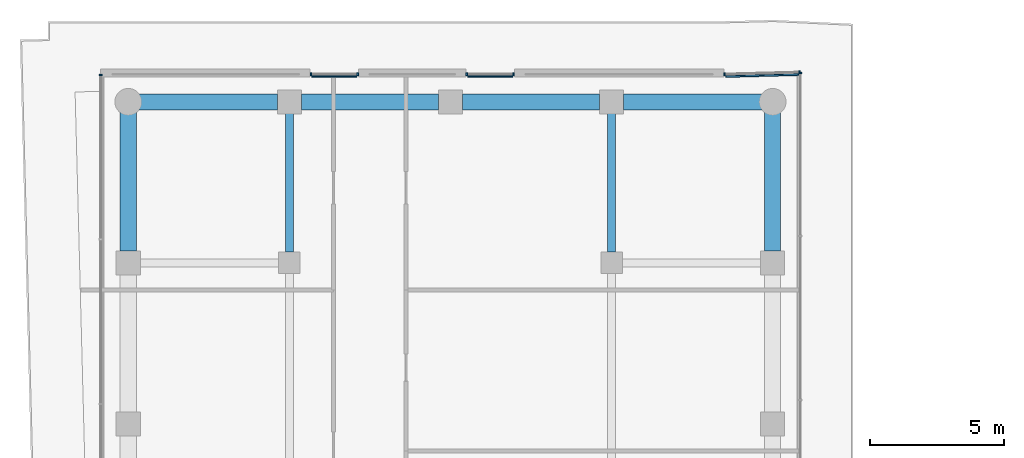
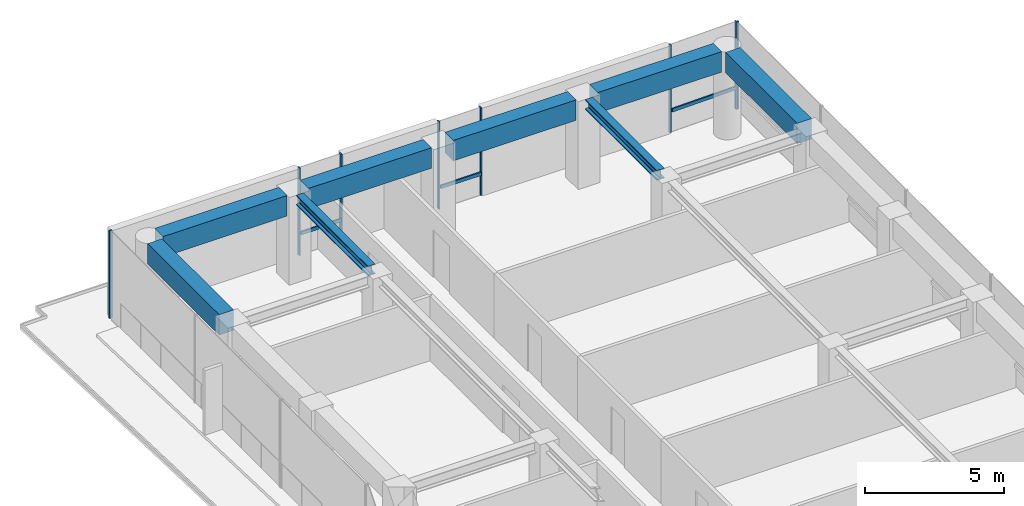
# One storey, part 16 of 23: 11 members, 8 beams, 5 elements without a shape of their own.
"""IFC4 building model written with IfcOpenShell, lengths in metres."""

from ifc_helpers import new_model, si_unit, direction, frame, origin, origin_2d, place, context, subcontext, project, spatial, rectangle, i_section, extrude, material, layer, layer_set, material_profile, profile_set, type_object, element, aggregate, save


model = new_model("IFC4")

# Units and contexts
model_context = context("Model", 3, precision=1e-05, world=origin(), true_north=direction((0.0, 1.0)))
body_context = subcontext(model_context, "Body", "Model", "MODEL_VIEW")
ifc_project = project(units=[si_unit("LENGTHUNIT", "METRE"), si_unit("AREAUNIT", "SQUARE_METRE"), si_unit("VOLUMEUNIT", "CUBIC_METRE"), si_unit("PLANEANGLEUNIT", "RADIAN"), si_unit("MASSUNIT", "GRAM", prefix="KILO")], contexts=[model_context])

# Site, building, storey
site_placement = place(None, origin())
site = spatial("IfcSite", under=ifc_project, at=site_placement, CompositionType="ELEMENT")
building_placement = place(site_placement, origin())
building = spatial("IfcBuilding", under=site, at=building_placement, Name="Welwitschia Terrace Campus", CompositionType="ELEMENT")
storey_placement = place(building_placement, frame((0.0, 0.0, 104.60009765625)))
storey = spatial("IfcBuildingStorey", under=building, at=storey_placement, Name="L23", CompositionType="ELEMENT", Elevation=104.60009765625)

# Beams
ifc_material_1 = material(Name="Steel S355", Category="steel")
ifc_material_profile_1 = material_profile(ifc_material_1, i_section(OverallWidth=0.306884765625, OverallDepth=0.431884765625, WebThickness=0.02099609375, FlangeThickness=0.0400390625, FilletRadius=0.027099609375, at=origin_2d()))
ifc_profile_set_1 = profile_set([ifc_material_profile_1], Name="Steel S355")
beam_type_1 = type_object("IfcBeamType", Name="Interior girder HE 400 M", PredefinedType="BEAM", material=ifc_profile_set_1)
for number, where, z_axis, x_axis, name in (
    (1, (6.0, 64.400390625, 3.6337890625), (0.0, 1.0, 0.0), (-1.0, 0.0, 0.0), "Girder GB3"),
    (2, (18.0, 64.400390625, 3.6337890625), (0.0, 1.0, 0.0), (-1.0, 0.0, 0.0), "Girder GB3"),
):
    element("IfcBeam", number, at=place(storey_placement, frame(where, z_axis=z_axis, x_axis=x_axis)), inside=storey, type_object=beam_type_1, Name=name, PredefinedType="BEAM", context=body_context, shape_type="SweptSolid", body=[
        extrude(i_section(OverallWidth=0.306884765625, OverallDepth=0.431884765625, WebThickness=0.02099609375, FlangeThickness=0.0400390625, FilletRadius=0.027099609375, at=origin_2d()), origin(), (0.0, 0.0, 1.0), 5.1591796875),
    ])

# Curtain wall, member
ifc_material_2 = material(Name="Bronze anodised aluminium", Category="aluminium")
ifc_layer = layer(ifc_material_2, 0.1201171875)
ifc_layer_set = layer_set([ifc_layer], Name="Bronze anodised aluminium")
curtain_wall_type = type_object("IfcCurtainWallType", Name="Curtain wall CW2 tower 6000", PredefinedType="NOTDEFINED", material=ifc_layer_set)
curtain_wall_1_placement = place(storey_placement, origin())
curtain_wall_1 = element("IfcCurtainWall", 3, at=curtain_wall_1_placement, inside=storey, type_object=curtain_wall_type, Name="CW L23.9.0", PredefinedType="NOTDEFINED")
ifc_material_3 = material(Name="Bronze anodised aluminium", Category="aluminium")
ifc_material_profile_2 = material_profile(ifc_material_3, rectangle(XDim=0.1201171875, YDim=0.06005859375, at=origin_2d()))
ifc_profile_set_2 = profile_set([ifc_material_profile_2], Name="Bronze anodised aluminium")
member_type_1 = type_object("IfcMemberType", Name="Mullion 60x120", PredefinedType="MULLION", material=ifc_profile_set_2)
member_1_placement = place(storey_placement, frame((25.030029296875, 71.074462890625, 0.0), z_axis=(0.0, 0.0, 1.0), x_axis=(-1.0, 0.0, 0.0)))
member_1 = element("IfcMember", 4, at=member_1_placement, type_object=member_type_1, Name="Mullion L23.9.0.6", PredefinedType="MULLION", context=body_context, shape_type="SweptSolid", body=[
    extrude(rectangle(XDim=0.1201171875, YDim=0.06005859375, at=origin_2d()), origin(), (0.0, 0.0, 1.0), 3.849853515625),
])
aggregate(curtain_wall_1, [member_1])

# Curtain wall, members
curtain_wall_2_placement = place(storey_placement, origin())
curtain_wall_2 = element("IfcCurtainWall", 5, at=curtain_wall_2_placement, inside=storey, type_object=curtain_wall_type, Name="CW L23.10.0", PredefinedType="NOTDEFINED")
member_2_placement = place(storey_placement, frame((25.0, 71.103759765625, 0.0), z_axis=(0.0, 0.0, 1.0), x_axis=(0.026176948308, -0.999657324976, 0.0)))
member_2 = element("IfcMember", 6, at=member_2_placement, type_object=member_type_1, Name="Mullion L23.10.0.0", PredefinedType="MULLION", context=body_context, shape_type="SweptSolid", body=[
    extrude(rectangle(XDim=0.1201171875, YDim=0.06005859375, at=origin_2d()), origin(), (0.0, 0.0, 1.0), 3.849853515625),
])
member_3_placement = place(storey_placement, frame((22.21337890625, 71.03076171875, 0.0), z_axis=(0.0, 0.0, 1.0), x_axis=(0.026176948308, -0.999657324976, 0.0)))
member_3 = element("IfcMember", 7, at=member_3_placement, type_object=member_type_1, Name="Mullion L23.10.0.1", PredefinedType="MULLION", context=body_context, shape_type="SweptSolid", body=[
    extrude(rectangle(XDim=0.1201171875, YDim=0.06005859375, at=origin_2d()), origin(), (0.0, 0.0, 1.0), 3.849853515625),
])

curtain_wall_3_placement = place(storey_placement, origin())
curtain_wall_3 = element("IfcCurtainWall", 8, at=curtain_wall_3_placement, inside=storey, type_object=curtain_wall_type, Name="CW L23.11.S0", PredefinedType="NOTDEFINED")
member_4_placement = place(storey_placement, frame((14.348388671875, 71.030029296875, 0.0), z_axis=(0.0, 0.0, 1.0), x_axis=(0.0, -1.0, 0.0)))
member_4 = element("IfcMember", 9, at=member_4_placement, type_object=member_type_1, Name="Mullion L23.11.S0.0", PredefinedType="MULLION", context=body_context, shape_type="SweptSolid", body=[
    extrude(rectangle(XDim=0.1201171875, YDim=0.06005859375, at=origin_2d()), origin(), (0.0, 0.0, 1.0), 3.849853515625),
])
member_5_placement = place(storey_placement, frame((12.6083984375, 71.030029296875, 0.0), z_axis=(0.0, 0.0, 1.0), x_axis=(0.0, -1.0, 0.0)))
member_5 = element("IfcMember", 10, at=member_5_placement, type_object=member_type_1, Name="Mullion L23.11.S0.1", PredefinedType="MULLION", context=body_context, shape_type="SweptSolid", body=[
    extrude(rectangle(XDim=0.1201171875, YDim=0.06005859375, at=origin_2d()), origin(), (0.0, 0.0, 1.0), 3.849853515625),
])

curtain_wall_4_placement = place(storey_placement, origin())
curtain_wall_4 = element("IfcCurtainWall", 11, at=curtain_wall_4_placement, inside=storey, type_object=curtain_wall_type, Name="CW L23.11.S1", PredefinedType="NOTDEFINED")
member_6_placement = place(storey_placement, frame((8.544921875, 71.030029296875, 0.0), z_axis=(0.0, 0.0, 1.0), x_axis=(0.0, -1.0, 0.0)))
member_6 = element("IfcMember", 12, at=member_6_placement, type_object=member_type_1, Name="Mullion L23.11.S1.0", PredefinedType="MULLION", context=body_context, shape_type="SweptSolid", body=[
    extrude(rectangle(XDim=0.1201171875, YDim=0.06005859375, at=origin_2d()), origin(), (0.0, 0.0, 1.0), 3.849853515625),
])
member_7_placement = place(storey_placement, frame((6.804931640625, 71.030029296875, 0.0), z_axis=(0.0, 0.0, 1.0), x_axis=(0.0, -1.0, 0.0)))
member_7 = element("IfcMember", 13, at=member_7_placement, type_object=member_type_1, Name="Mullion L23.11.S1.1", PredefinedType="MULLION", context=body_context, shape_type="SweptSolid", body=[
    extrude(rectangle(XDim=0.1201171875, YDim=0.06005859375, at=origin_2d()), origin(), (0.0, 0.0, 1.0), 3.849853515625),
])

# Curtain wall, member
curtain_wall_5_placement = place(storey_placement, origin())
curtain_wall_5 = element("IfcCurtainWall", 14, at=curtain_wall_5_placement, inside=storey, type_object=curtain_wall_type, Name="CW L23.12.0", PredefinedType="NOTDEFINED")
member_8_placement = place(storey_placement, frame((-1.030029296875, 71.0, 0.0), z_axis=(0.0, 0.0, 1.0), x_axis=(1.0, 0.0, 0.0)))
member_8 = element("IfcMember", 15, at=member_8_placement, type_object=member_type_1, Name="Mullion L23.12.0.0", PredefinedType="MULLION", context=body_context, shape_type="SweptSolid", body=[
    extrude(rectangle(XDim=0.1201171875, YDim=0.06005859375, at=origin_2d()), origin(), (0.0, 0.0, 1.0), 3.849853515625),
])
aggregate(curtain_wall_5, [member_8])

# Beams
ifc_material_4 = material(Name="Concrete C60/75", Category="concrete")
ifc_material_profile_3 = material_profile(ifc_material_4, rectangle(XDim=0.60009765625, YDim=0.89990234375, at=origin_2d()))
ifc_profile_set_3 = profile_set([ifc_material_profile_3], Name="Concrete C60/75")
beam_type_2 = type_object("IfcBeamType", Name="Ring spandrel 600x900", PredefinedType="SPANDREL", material=ifc_profile_set_3)
for number, where, z_axis, x_axis, name in (
    (16, (24.0, 64.450439453125, 3.39990234375), (0.0, 1.0, 0.0), (-1.0, 0.0, 0.0), "Spandrel SP2"),
    (17, (23.599609375, 70.0, 3.39990234375), (-1.0, 0.0, 0.0), (0.0, -1.0, 0.0), "Spandrel SP2"),
):
    element("IfcBeam", number, at=place(storey_placement, frame(where, z_axis=z_axis, x_axis=x_axis)), inside=storey, type_object=beam_type_2, Name=name, PredefinedType="SPANDREL", context=body_context, shape_type="SweptSolid", body=[
        extrude(rectangle(XDim=0.60009765625, YDim=0.89990234375, at=origin_2d()), origin(), (0.0, 0.0, 1.0), 5.149169921875),
    ])
for number, where, z_axis, x_axis, name in (
    (18, (17.549560546875, 70.0, 3.39990234375), (-1.0, 0.0, 0.0), (0.0, -1.0, 0.0), "Spandrel SP2"),
    (19, (11.549560546875, 70.0, 3.39990234375), (-1.0, 0.0, 0.0), (0.0, -1.0, 0.0), "Spandrel SP2"),
):
    element("IfcBeam", number, at=place(storey_placement, frame(where, z_axis=z_axis, x_axis=x_axis)), inside=storey, type_object=beam_type_2, Name=name, PredefinedType="SPANDREL", context=body_context, shape_type="SweptSolid", body=[
        extrude(rectangle(XDim=0.60009765625, YDim=0.89990234375, at=origin_2d()), origin(), (0.0, 0.0, 1.0), 5.09912109375),
    ])
for number, where, z_axis, x_axis, name in (
    (20, (5.549560546875, 70.0, 3.39990234375), (-1.0, 0.0, 0.0), (0.0, -1.0, 0.0), "Spandrel SP2"),
    (21, (0.0, 69.599609375, 3.39990234375), (0.0, -1.0, 0.0), (1.0, 0.0, 0.0), "Spandrel SP2"),
):
    element("IfcBeam", number, at=place(storey_placement, frame(where, z_axis=z_axis, x_axis=x_axis)), inside=storey, type_object=beam_type_2, Name=name, PredefinedType="SPANDREL", context=body_context, shape_type="SweptSolid", body=[
        extrude(rectangle(XDim=0.60009765625, YDim=0.89990234375, at=origin_2d()), origin(), (0.0, 0.0, 1.0), 5.149169921875),
    ])

# Member
ifc_material_5 = material(Name="Bronze anodised aluminium", Category="aluminium")
ifc_material_profile_4 = material_profile(ifc_material_5, rectangle(XDim=0.06005859375, YDim=0.14990234375, at=origin_2d()))
ifc_profile_set_4 = profile_set([ifc_material_profile_4], Name="Bronze anodised aluminium")
member_type_2 = type_object("IfcMemberType", Name="Transom 60x150", PredefinedType="USERDEFINED", material=ifc_profile_set_4)
member_9_placement = place(storey_placement, frame((24.972412109375, 71.012939453125, 1.0), z_axis=(-0.999658365047, -0.026137199373, 0.0), x_axis=(0.026137199373, -0.999658365047, 0.0)))
member_9 = element("IfcMember", 22, at=member_9_placement, type_object=member_type_2, Name="Transom L23.10.0", ObjectType="TRANSOM", PredefinedType="USERDEFINED", context=body_context, shape_type="SweptSolid", body=[
    extrude(rectangle(XDim=0.06005859375, YDim=0.14990234375, at=origin_2d()), origin(), (0.0, 0.0, 1.0), 2.7275390625),
])

aggregate(curtain_wall_2, [member_2, member_3, member_9])

member_10_placement = place(storey_placement, frame((14.318359375, 70.93994140625, 1.0), z_axis=(-1.0, 0.0, 0.0), x_axis=(0.0, -1.0, 0.0)))
member_10 = element("IfcMember", 23, at=member_10_placement, type_object=member_type_2, Name="Transom L23.11.S0", ObjectType="TRANSOM", PredefinedType="USERDEFINED", context=body_context, shape_type="SweptSolid", body=[
    extrude(rectangle(XDim=0.06005859375, YDim=0.14990234375, at=origin_2d()), origin(), (0.0, 0.0, 1.0), 1.679931640625),
])

aggregate(curtain_wall_3, [member_4, member_5, member_10])

member_11_placement = place(storey_placement, frame((8.51513671875, 70.93994140625, 1.0), z_axis=(-1.0, 0.0, 0.0), x_axis=(0.0, -1.0, 0.0)))
member_11 = element("IfcMember", 24, at=member_11_placement, type_object=member_type_2, Name="Transom L23.11.S1", ObjectType="TRANSOM", PredefinedType="USERDEFINED", context=body_context, shape_type="SweptSolid", body=[
    extrude(rectangle(XDim=0.06005859375, YDim=0.14990234375, at=origin_2d()), origin(), (0.0, 0.0, 1.0), 1.68017578125),
])

aggregate(curtain_wall_4, [member_6, member_7, member_11])

save(model, "model.ifc")
